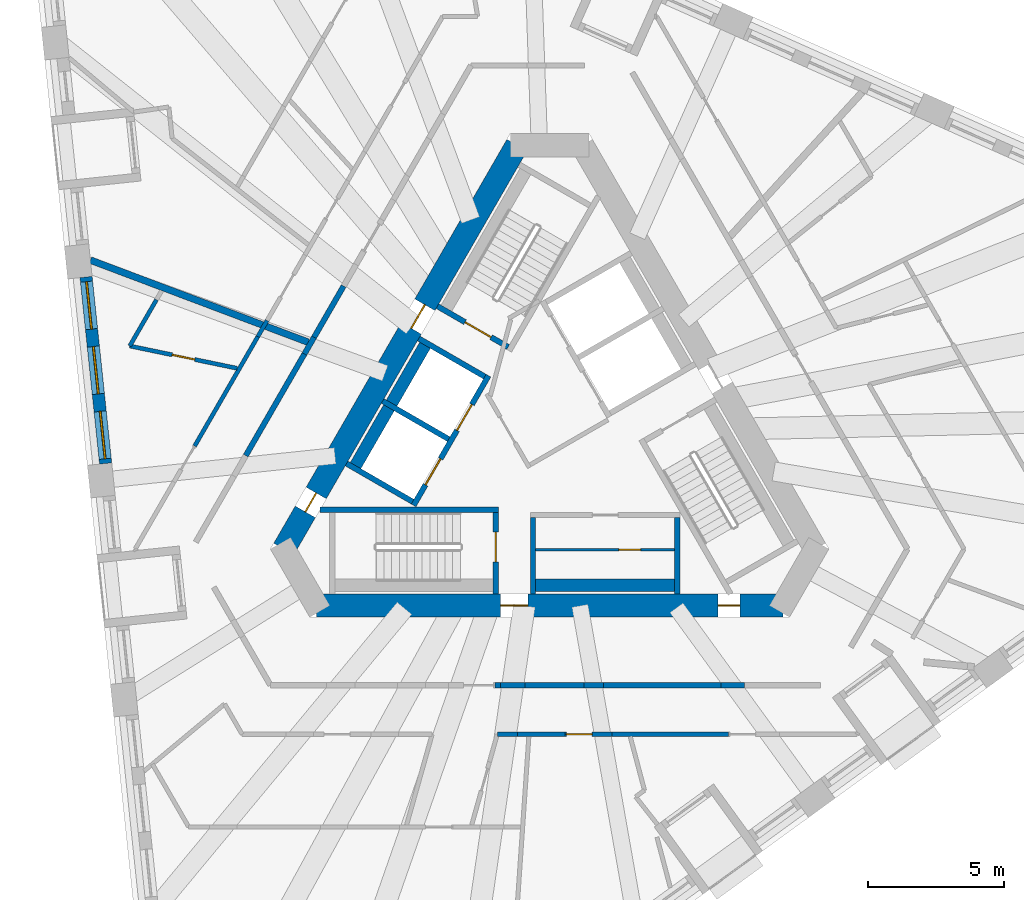
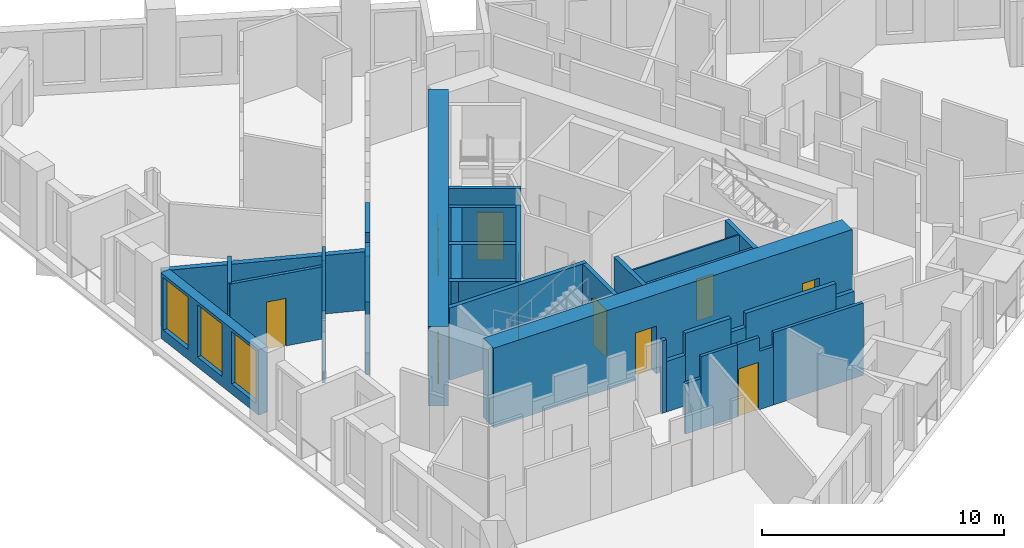
# One storey, part 4 of 14: 33 walls, 11 doors, 3 windows, 14 openings.
"""IFC4 building model written with IfcOpenShell, lengths in metres."""

from ifc_helpers import new_model, si_unit, direction, frame, frame_2d, origin, place, context, subcontext, project, spatial, polyline, rectangle, outline, extrude, material, layer, layer_set, type_object, element, fill, save


model = new_model("IFC4")

# Units and contexts
model_context = context("Model", 3, precision=1e-05, world=origin(), true_north=direction((0.0, 1.0)))
body_context = subcontext(model_context, "Body", "Model", "MODEL_VIEW")
ifc_project = project(units=[si_unit("LENGTHUNIT", "METRE"), si_unit("AREAUNIT", "SQUARE_METRE"), si_unit("VOLUMEUNIT", "CUBIC_METRE"), si_unit("PLANEANGLEUNIT", "RADIAN"), si_unit("MASSUNIT", "GRAM", prefix="KILO")], contexts=[model_context])

# Site, building, storey
site_placement = place(None, origin())
site = spatial("IfcSite", under=ifc_project, at=site_placement, CompositionType="ELEMENT")
building_placement = place(site_placement, origin())
building = spatial("IfcBuilding", under=site, at=building_placement, Name="Tramontana Tower", CompositionType="ELEMENT")
storey_placement = place(building_placement, frame((0.0, 0.0, 186.800048828125)))
storey = spatial("IfcBuildingStorey", under=building, at=storey_placement, Name="L43", CompositionType="ELEMENT", Elevation=186.800048828125)

# Wall, openings, doors
ifc_material_1 = material(Name="Concrete 70 MPa", Category="concrete")
ifc_layer_1 = layer(ifc_material_1, 0.85009765625)
ifc_layer_set_1 = layer_set([ifc_layer_1], Name="Core wall 850 70 MPa")
wall_type_1 = type_object("IfcWallType", Name="Core wall 850 70 MPa", PredefinedType="SHEAR", material=ifc_layer_set_1)
wall_1_placement = place(storey_placement, frame((-1.197998046875, 10.574951171875, 0.0), z_axis=(0.0, 0.0, 1.0), x_axis=(-0.499995289315, -0.866028123483, 0.0)))
wall_1 = element("IfcWall", 1, at=wall_1_placement, inside=storey, type_object=wall_type_1, Name="Core wall C1 L43", PredefinedType="SHEAR", context=body_context, shape_type="SweptSolid", body=[
    extrude(rectangle(XDim=17.118408203125, YDim=0.85009765625, at=frame_2d((8.55908203125, 0.0))), origin(), (0.0, 0.0, 1.0), 4.0),
])
opening_1_placement = place(wall_1_placement, frame((6.76416015625, 0.0, 0.0)))
opening_1 = element("IfcOpeningElement", 2, at=opening_1_placement, cuts=wall_1, Name="Opening RG1", PredefinedType="OPENING", context=body_context, shape_type="SweptSolid", body=[
    extrude(rectangle(XDim=1.0, YDim=2.39990234375, at=frame_2d((0.5, 1.199951171875))), frame((0.0, 0.43505859375, 0.0), z_axis=(0.0, -1.0, 0.0), x_axis=(1.0, 0.0, 0.0)), (0.0, 0.0, 1.0), 0.8701171875),
])
opening_2_placement = place(wall_1_placement, frame((14.7421875, 0.0, 0.0)))
opening_2 = element("IfcOpeningElement", 3, at=opening_2_placement, cuts=wall_1, Name="Opening PD1", PredefinedType="OPENING", context=body_context, shape_type="SweptSolid", body=[
    extrude(rectangle(XDim=0.800048828125, YDim=2.10009765625, at=frame_2d((0.39990234375, 1.050048828125))), frame((0.0, 0.43505859375, 0.0), z_axis=(0.0, -1.0, 0.0), x_axis=(1.0, 0.0, 0.0)), (0.0, 0.0, 1.0), 0.8701171875),
])
ifc_material_2 = material(Name="Painted steel", Category="steel")
door_type_1 = type_object("IfcDoorType", Name="CUPBOARD DOOR 800", OperationType="SINGLE_SWING_LEFT", PredefinedType="DOOR", material=ifc_material_2)
door_1_placement = place(opening_2_placement, origin())
door_1 = element("IfcDoor", 4, at=door_1_placement, inside=storey, type_object=door_type_1, Name="Door PD1", OperationType="SINGLE_SWING_LEFT", OverallHeight=2.10009765625, OverallWidth=0.800048828125, PredefinedType="DOOR", context=body_context, shape_type="SweptSolid", body=[
    extrude(rectangle(XDim=0.800048828125, YDim=2.10009765625, at=frame_2d((0.39990234375, 1.050048828125))), frame((0.0, 0.02490234375, 0.0), z_axis=(0.0, -1.0, 0.0), x_axis=(1.0, 0.0, 0.0)), (0.0, 0.0, 1.0), 0.050048828125),
])
fill(opening_2, door_1)
ifc_material_3 = material(Name="Painted steel", Category="steel")
door_type_2 = type_object("IfcDoorType", Name="RING DOOR 1000", OperationType="SINGLE_SWING_LEFT", PredefinedType="DOOR", material=ifc_material_3)
door_2_placement = place(opening_1_placement, origin())
door_2 = element("IfcDoor", 5, at=door_2_placement, inside=storey, type_object=door_type_2, Name="Door RG1", OperationType="SINGLE_SWING_RIGHT", OverallHeight=2.39990234375, OverallWidth=1.0, PredefinedType="DOOR", context=body_context, shape_type="SweptSolid", body=[
    extrude(rectangle(XDim=1.0, YDim=2.39990234375, at=frame_2d((0.5, 1.199951171875))), frame((0.0, 0.02490234375, 0.0), z_axis=(0.0, -1.0, 0.0), x_axis=(1.0, 0.0, 0.0)), (0.0, 0.0, 1.0), 0.050048828125),
])
fill(opening_1, door_2)

wall_2_placement = place(storey_placement, frame((-8.55908203125, -6.324951171875, 0.0), z_axis=(0.0, 0.0, 1.0), x_axis=(1.0, 0.0, 0.0)))
wall_2 = element("IfcWall", 6, at=wall_2_placement, inside=storey, type_object=wall_type_1, Name="Core wall C3 L43", PredefinedType="SHEAR", context=body_context, shape_type="SweptSolid", body=[
    extrude(rectangle(XDim=17.1181640625, YDim=0.85009765625, at=frame_2d((8.55908203125, 0.0))), origin(), (0.0, 0.0, 1.0), 4.0),
])
opening_3_placement = place(wall_2_placement, frame((6.76416015625, 0.0, 0.0)))
opening_3 = element("IfcOpeningElement", 7, at=opening_3_placement, cuts=wall_2, Name="Opening RG2", PredefinedType="OPENING", context=body_context, shape_type="SweptSolid", body=[
    extrude(rectangle(XDim=1.0, YDim=2.39990234375, at=frame_2d((0.5, 1.199951171875))), frame((0.0, 0.43505859375, 0.0), z_axis=(0.0, -1.0, 0.0), x_axis=(1.0, 0.0, 0.0)), (0.0, 0.0, 1.0), 0.8701171875),
])
opening_4_placement = place(wall_2_placement, frame((14.7421875, 0.0, 0.0)))
opening_4 = element("IfcOpeningElement", 8, at=opening_4_placement, cuts=wall_2, Name="Opening PD2", PredefinedType="OPENING", context=body_context, shape_type="SweptSolid", body=[
    extrude(rectangle(XDim=0.800048828125, YDim=2.10009765625, at=frame_2d((0.39990234375, 1.050048828125))), frame((0.0, 0.43505859375, 0.0), z_axis=(0.0, -1.0, 0.0), x_axis=(1.0, 0.0, 0.0)), (0.0, 0.0, 1.0), 0.8701171875),
])
door_3_placement = place(opening_4_placement, origin())
door_3 = element("IfcDoor", 9, at=door_3_placement, inside=storey, type_object=door_type_1, Name="Door PD2", OperationType="SINGLE_SWING_RIGHT", OverallHeight=2.10009765625, OverallWidth=0.800048828125, PredefinedType="DOOR", context=body_context, shape_type="SweptSolid", body=[
    extrude(rectangle(XDim=0.800048828125, YDim=2.10009765625, at=frame_2d((0.39990234375, 1.050048828125))), frame((0.0, 0.02490234375, 0.0), z_axis=(0.0, -1.0, 0.0), x_axis=(1.0, 0.0, 0.0)), (0.0, 0.0, 1.0), 0.050048828125),
])
fill(opening_4, door_3)
door_4_placement = place(opening_3_placement, origin())
door_4 = element("IfcDoor", 10, at=door_4_placement, inside=storey, type_object=door_type_2, Name="Door RG2", OperationType="SINGLE_SWING_LEFT", OverallHeight=2.39990234375, OverallWidth=1.0, PredefinedType="DOOR", context=body_context, shape_type="SweptSolid", body=[
    extrude(rectangle(XDim=1.0, YDim=2.39990234375, at=frame_2d((0.5, 1.199951171875))), frame((0.0, 0.02490234375, 0.0), z_axis=(0.0, -1.0, 0.0), x_axis=(1.0, 0.0, 0.0)), (0.0, 0.0, 1.0), 0.050048828125),
])
fill(opening_3, door_4)

# Walls
ifc_material_4 = material(Name="Blockwork", Category="masonry")
ifc_layer_2 = layer(ifc_material_4, 0.199951171875)
ifc_layer_set_2 = layer_set([ifc_layer_2], Name="ENTRY WALL 200")
wall_type_2 = type_object("IfcWallType", Name="ENTRY WALL 200", PredefinedType="SOLIDWALL", material=ifc_layer_set_2)
wall_3_placement = place(storey_placement, frame((7.153076171875, -9.25, 0.0), z_axis=(0.0, 0.0, 1.0), x_axis=(-1.0, 0.0, 0.0)))
element("IfcWall", 11, at=wall_3_placement, inside=storey, type_object=wall_type_2, Name="Wall v42-ew2-1", PredefinedType="SOLIDWALL", context=body_context, shape_type="SweptSolid", body=[
    extrude(rectangle(XDim=0.865234375, YDim=0.199951171875, at=frame_2d((0.4326171875, 0.0))), origin(), (0.0, 0.0, 1.0), 2.949951171875),
])
wall_4_placement = place(storey_placement, frame((6.287841796875, -9.25, 0.0), z_axis=(0.0, 0.0, 1.0), x_axis=(-1.0, 0.0, 0.0)))
element("IfcWall", 12, at=wall_4_placement, inside=storey, type_object=wall_type_2, Name="Wall v42-ew2-2", PredefinedType="SOLIDWALL", context=body_context, shape_type="SweptSolid", body=[
    extrude(rectangle(XDim=4.306640625, YDim=0.199951171875, at=frame_2d((2.1533203125, 0.0))), origin(), (0.0, 0.0, 1.0), 3.64990234375),
])
wall_5_placement = place(storey_placement, frame((1.981201171875, -9.25, 0.0), z_axis=(0.0, 0.0, 1.0), x_axis=(-1.0, 0.0, 0.0)))
element("IfcWall", 13, at=wall_5_placement, inside=storey, type_object=wall_type_2, Name="Wall v42-ew2-3", PredefinedType="SOLIDWALL", context=body_context, shape_type="SweptSolid", body=[
    extrude(rectangle(XDim=0.710693359375, YDim=0.199951171875, at=frame_2d((0.35546875, 0.0))), origin(), (0.0, 0.0, 1.0), 2.949951171875),
])
wall_6_placement = place(storey_placement, frame((1.2705078125, -9.25, 0.0), z_axis=(0.0, 0.0, 1.0), x_axis=(-1.0, 0.0, 0.0)))
element("IfcWall", 14, at=wall_6_placement, inside=storey, type_object=wall_type_2, Name="Wall v42-ew2-4", PredefinedType="SOLIDWALL", context=body_context, shape_type="SweptSolid", body=[
    extrude(rectangle(XDim=2.169677734375, YDim=0.199951171875, at=frame_2d((1.0849609375, 0.0))), origin(), (0.0, 0.0, 1.0), 3.64990234375),
])
wall_7_placement = place(storey_placement, frame((-0.899169921875, -9.25, 0.0), z_axis=(0.0, 0.0, 1.0), x_axis=(-1.0, 0.0, 0.0)))
element("IfcWall", 15, at=wall_7_placement, inside=storey, type_object=wall_type_2, Name="Wall v42-ew2-5", PredefinedType="SOLIDWALL", context=body_context, shape_type="SweptSolid", body=[
    extrude(rectangle(XDim=0.909423828125, YDim=0.199951171875, at=frame_2d((0.45458984375, 0.0))), origin(), (0.0, 0.0, 1.0), 2.550048828125),
])
wall_8_placement = place(storey_placement, frame((-1.80859375, -9.25, 0.0), z_axis=(0.0, 0.0, 1.0), x_axis=(-1.0, 0.0, 0.0)))
element("IfcWall", 16, at=wall_8_placement, inside=storey, type_object=wall_type_2, Name="Wall v42-ew2-6", PredefinedType="SOLIDWALL", context=body_context, shape_type="SweptSolid", body=[
    extrude(rectangle(XDim=0.200439453125, YDim=0.199951171875, at=frame_2d((0.10009765625, 0.0))), origin(), (0.0, 0.0, 1.0), 3.64990234375),
])
wall_9_placement = place(storey_placement, frame((-11.15478515625, -0.820556640625, 0.0), z_axis=(0.0, 0.0, 1.0), x_axis=(0.499992344383, 0.866029823712, 0.0)))
element("IfcWall", 17, at=wall_9_placement, inside=storey, type_object=wall_type_2, Name="Wall v42-ew4-2", PredefinedType="SOLIDWALL", context=body_context, shape_type="SweptSolid", body=[
    extrude(rectangle(XDim=4.306640625, YDim=0.199951171875, at=frame_2d((2.1533203125, 0.0))), origin(), (0.0, 0.0, 1.0), 3.64990234375),
])
wall_10_placement = place(storey_placement, frame((-9.00146484375, 2.9091796875, 0.0), z_axis=(0.0, 0.0, 1.0), x_axis=(0.50012879774, 0.865951029603, 0.0)))
element("IfcWall", 18, at=wall_10_placement, inside=storey, type_object=wall_type_2, Name="Wall v42-ew4-3", PredefinedType="SOLIDWALL", context=body_context, shape_type="SweptSolid", body=[
    extrude(rectangle(XDim=0.710693359375, YDim=0.199951171875, at=frame_2d((0.35546875, 0.0))), origin(), (0.0, 0.0, 1.0), 2.949951171875),
])
wall_11_placement = place(storey_placement, frame((-8.64599609375, 3.524658203125, 0.0), z_axis=(0.0, 0.0, 1.0), x_axis=(0.499975720793, 0.866039420937, 0.0)))
element("IfcWall", 19, at=wall_11_placement, inside=storey, type_object=wall_type_2, Name="Wall v42-ew4-4", PredefinedType="SOLIDWALL", context=body_context, shape_type="SweptSolid", body=[
    extrude(rectangle(XDim=2.16943359375, YDim=0.199951171875, at=frame_2d((1.084716796875, 0.0))), origin(), (0.0, 0.0, 1.0), 3.64990234375),
])

# Wall, openings, windows
ifc_material_5 = material(Name="Precast concrete 60 MPa", Category="concrete")
ifc_layer_3 = layer(ifc_material_5, 0.449951171875)
ifc_layer_set_3 = layer_set([ifc_layer_3], Name="Precast concrete 60 MPa, 450 mm")
wall_type_3 = type_object("IfcWallType", Name="EW1 Stone-faced precast wall 450", PredefinedType="SOLIDWALL", material=ifc_layer_set_3)
wall_12_placement = place(storey_placement, frame((-17.017822265625, 5.735595703125, 0.0), z_axis=(0.0, 0.0, 1.0), x_axis=(0.104531531326, -0.994521572898, 0.0)))
wall_12 = element("IfcWall", 20, at=wall_12_placement, inside=storey, type_object=wall_type_3, Name="External wall L43 face 0 bay 3", PredefinedType="SOLIDWALL", context=body_context, shape_type="SweptSolid", body=[
    extrude(rectangle(XDim=6.8828125, YDim=0.449951171875, at=frame_2d((3.44140625, 0.0))), origin(), (0.0, 0.0, 1.0), 3.300048828125),
])
opening_5_placement = place(wall_12_placement, frame((0.172119140625, 0.0, 0.5)))
opening_5 = element("IfcOpeningElement", 21, at=opening_5_placement, cuts=wall_12, Name="Opening M2", PredefinedType="OPENING", context=body_context, shape_type="SweptSolid", body=[
    extrude(rectangle(XDim=1.75, YDim=2.64990234375, at=frame_2d((0.875, 1.324951171875))), frame((0.0, 0.23486328125, 0.0), z_axis=(0.0, -1.0, 0.0), x_axis=(1.0, 0.0, 0.0)), (0.0, 0.0, 1.0), 0.469970703125),
])
opening_6_placement = place(wall_12_placement, frame((2.56640625, 0.0, 0.5)))
opening_6 = element("IfcOpeningElement", 22, at=opening_6_placement, cuts=wall_12, Name="Opening M2", PredefinedType="OPENING", context=body_context, shape_type="SweptSolid", body=[
    extrude(rectangle(XDim=1.75, YDim=2.64990234375, at=frame_2d((0.875, 1.324951171875))), frame((0.0, 0.23486328125, 0.0), z_axis=(0.0, -1.0, 0.0), x_axis=(1.0, 0.0, 0.0)), (0.0, 0.0, 1.0), 0.469970703125),
])
opening_7_placement = place(wall_12_placement, frame((4.960693359375, 0.0, 0.5)))
opening_7 = element("IfcOpeningElement", 23, at=opening_7_placement, cuts=wall_12, Name="Opening M2", PredefinedType="OPENING", context=body_context, shape_type="SweptSolid", body=[
    extrude(rectangle(XDim=1.75, YDim=2.64990234375, at=frame_2d((0.875, 1.324951171875))), frame((0.0, 0.23486328125, 0.0), z_axis=(0.0, -1.0, 0.0), x_axis=(1.0, 0.0, 0.0)), (0.0, 0.0, 1.0), 0.469970703125),
])
ifc_material_6 = material(Name="Aluminum frame, double glazing unit", Category="aluminium")
window_type = type_object("IfcWindowType", Name="M2 Window 1.75 x 2.65", PartitioningType="SINGLE_PANEL", PredefinedType="WINDOW", material=ifc_material_6)
window_1_placement = place(opening_5_placement, origin())
window_1 = element("IfcWindow", 24, at=window_1_placement, inside=storey, type_object=window_type, Name="Window M2 L43 face 0 module 7", OverallHeight=2.64990234375, OverallWidth=1.75, PartitioningType="SINGLE_PANEL", PredefinedType="WINDOW", context=body_context, shape_type="SweptSolid", body=[
    extrude(rectangle(XDim=1.75, YDim=2.64990234375, at=frame_2d((0.875, 1.324951171875))), frame((0.0, 0.030029296875, 0.0), z_axis=(0.0, -1.0, 0.0), x_axis=(1.0, 0.0, 0.0)), (0.0, 0.0, 1.0), 0.06005859375),
])
fill(opening_5, window_1)
window_2_placement = place(opening_6_placement, origin())
window_2 = element("IfcWindow", 25, at=window_2_placement, inside=storey, type_object=window_type, Name="Window M2 L43 face 0 module 8", OverallHeight=2.64990234375, OverallWidth=1.75, PartitioningType="SINGLE_PANEL", PredefinedType="WINDOW", context=body_context, shape_type="SweptSolid", body=[
    extrude(rectangle(XDim=1.75, YDim=2.64990234375, at=frame_2d((0.875, 1.324951171875))), frame((0.0, 0.030029296875, 0.0), z_axis=(0.0, -1.0, 0.0), x_axis=(1.0, 0.0, 0.0)), (0.0, 0.0, 1.0), 0.06005859375),
])
fill(opening_6, window_2)
window_3_placement = place(opening_7_placement, origin())
window_3 = element("IfcWindow", 26, at=window_3_placement, inside=storey, type_object=window_type, Name="Window M2 L43 face 0 module 9", OverallHeight=2.64990234375, OverallWidth=1.75, PartitioningType="SINGLE_PANEL", PredefinedType="WINDOW", context=body_context, shape_type="SweptSolid", body=[
    extrude(rectangle(XDim=1.75, YDim=2.64990234375, at=frame_2d((0.875, 1.324951171875))), frame((0.0, 0.030029296875, 0.0), z_axis=(0.0, -1.0, 0.0), x_axis=(1.0, 0.0, 0.0)), (0.0, 0.0, 1.0), 0.06005859375),
])
fill(opening_7, window_3)

# Walls
ifc_material_7 = material(Name="Gypsum board partition")
ifc_layer_4 = layer(ifc_material_7, 0.14990234375)
ifc_layer_set_4 = layer_set([ifc_layer_4], Name="PARTITION 150")
wall_type_4 = type_object("IfcWallType", Name="PARTITION 150", PredefinedType="PARTITIONING", material=ifc_layer_set_4)
wall_13_placement = place(storey_placement, frame((-15.413330078125, 3.203369140625, 0.0), z_axis=(0.0, 0.0, 1.0), x_axis=(0.500020484464, 0.866013576751, 0.0)))
element("IfcWall", 27, at=wall_13_placement, inside=storey, type_object=wall_type_4, Name="Wall v42-pw00-0", PredefinedType="PARTITIONING", context=body_context, shape_type="SweptSolid", body=[
    extrude(rectangle(XDim=1.9619140625, YDim=0.14990234375, at=frame_2d((0.98095703125, 0.0))), origin(), (0.0, 0.0, 1.0), 3.64990234375),
])
wall_14_placement = place(storey_placement, frame((-13.029541015625, -0.4677734375, 0.0), z_axis=(0.0, 0.0, 1.0), x_axis=(0.499991475479, 0.866030325363, 0.0)))
element("IfcWall", 28, at=wall_14_placement, inside=storey, type_object=wall_type_4, Name="Wall v42-pw02-2", PredefinedType="PARTITIONING", context=body_context, shape_type="SweptSolid", body=[
    extrude(rectangle(XDim=4.634765625, YDim=0.14990234375, at=frame_2d((2.3173828125, 0.0))), origin(), (0.0, 0.0, 1.0), 3.64990234375),
])
wall_15_placement = place(storey_placement, frame((-10.712158203125, 3.546142578125, 0.0), z_axis=(0.0, 0.0, 1.0), x_axis=(0.50012328804, 0.865954211699, 0.0)))
element("IfcWall", 29, at=wall_15_placement, inside=storey, type_object=wall_type_4, Name="Wall v42-pw02-3", PredefinedType="PARTITIONING", context=body_context, shape_type="SweptSolid", body=[
    extrude(rectangle(XDim=0.685302734375, YDim=0.14990234375, at=frame_2d((0.3427734375, 0.0))), origin(), (0.0, 0.0, 1.0), 2.949951171875),
])

# Wall, opening, door
wall_16_placement = place(storey_placement, frame((-15.413330078125, 3.203369140625, 0.0), z_axis=(0.0, 0.0, 1.0), x_axis=(0.979079644167, -0.20347739525, 0.0)))
wall_16 = element("IfcWall", 30, at=wall_16_placement, inside=storey, type_object=wall_type_4, Name="Wall v42-pw09", PredefinedType="PARTITIONING", context=body_context, shape_type="SweptSolid", body=[
    extrude(rectangle(XDim=4.02783203125, YDim=0.14990234375, at=frame_2d((2.013916015625, 0.0))), origin(), (0.0, 0.0, 1.0), 3.64990234375),
])
opening_8_placement = place(wall_16_placement, frame((1.5888671875, 0.0, 0.0)))
opening_8 = element("IfcOpeningElement", 31, at=opening_8_placement, cuts=wall_16, Name="Opening B4C-11", PredefinedType="OPENING", context=body_context, shape_type="SweptSolid", body=[
    extrude(rectangle(XDim=0.85009765625, YDim=2.39990234375, at=frame_2d((0.425048828125, 1.199951171875))), frame((0.0, 0.0849609375, 0.0), z_axis=(0.0, -1.0, 0.0), x_axis=(1.0, 0.0, 0.0)), (0.0, 0.0, 1.0), 0.169921875),
])
ifc_material_8 = material(Name="Painted timber", Category="wood")
door_type_3 = type_object("IfcDoorType", Name="DOOR BATH 850", OperationType="SINGLE_SWING_LEFT", PredefinedType="DOOR", material=ifc_material_8)
door_5_placement = place(opening_8_placement, origin())
door_5 = element("IfcDoor", 32, at=door_5_placement, inside=storey, type_object=door_type_3, Name="Door B4C-11", OperationType="SINGLE_SWING_LEFT", OverallHeight=2.39990234375, OverallWidth=0.85009765625, PredefinedType="DOOR", context=body_context, shape_type="SweptSolid", body=[
    extrude(rectangle(XDim=0.85009765625, YDim=2.39990234375, at=frame_2d((0.425048828125, 1.199951171875))), frame((0.0, 0.02490234375, 0.0), z_axis=(0.0, -1.0, 0.0), x_axis=(1.0, 0.0, 0.0)), (0.0, 0.0, 1.0), 0.050048828125),
])
fill(opening_8, door_5)

# Wall
wall_17_placement = place(storey_placement, frame((6.56494140625, -11.050048828125, 0.0), z_axis=(0.0, 0.0, 1.0), x_axis=(-1.0, 0.0, 0.0)))
element("IfcWall", 33, at=wall_17_placement, inside=storey, type_object=wall_type_4, Name="Wall v42-pw31-2", PredefinedType="PARTITIONING", context=body_context, shape_type="SweptSolid", body=[
    extrude(rectangle(XDim=4.280029296875, YDim=0.14990234375, at=frame_2d((2.14013671875, 0.0))), origin(), (0.0, 0.0, 1.0), 3.64990234375),
])

# Wall, opening, door
wall_18_placement = place(storey_placement, frame((2.284912109375, -11.050048828125, 0.0), z_axis=(0.0, 0.0, 1.0), x_axis=(-1.0, 0.0, 0.0)))
wall_18 = element("IfcWall", 34, at=wall_18_placement, inside=storey, type_object=wall_type_4, Name="Wall v42-pw31-3", PredefinedType="PARTITIONING", context=body_context, shape_type="SweptSolid", body=[
    extrude(outline(polyline([(0.0, 0.0), (1.720458984375, 0.0), (1.720703125, 3.64990234375), (0.685302734375, 3.64990234375), (0.685302734375, 2.949951171875), (0.0, 2.949951171875), (0.0, 0.0)])), frame((0.0, 0.074951171875, 0.0), z_axis=(0.0, -1.0, 0.0), x_axis=(1.0, 0.0, 0.0)), (0.0, 0.0, 1.0), 0.14990234375),
])
opening_9_placement = place(wall_18_placement, frame((0.720703125, 0.0, 0.0)))
opening_9 = element("IfcOpeningElement", 35, at=opening_9_placement, cuts=wall_18, Name="Opening B4C-09", PredefinedType="OPENING", context=body_context, shape_type="SweptSolid", body=[
    extrude(rectangle(XDim=0.949951171875, YDim=2.39990234375, at=frame_2d((0.47509765625, 1.199951171875))), frame((0.0, 0.0849609375, 0.0), z_axis=(0.0, -1.0, 0.0), x_axis=(1.0, 0.0, 0.0)), (0.0, 0.0, 1.0), 0.169921875),
])
ifc_material_9 = material(Name="Painted timber", Category="wood")
door_type_4 = type_object("IfcDoorType", Name="DOOR ROOM 950", OperationType="SINGLE_SWING_LEFT", PredefinedType="DOOR", material=ifc_material_9)
door_6_placement = place(opening_9_placement, origin())
door_6 = element("IfcDoor", 36, at=door_6_placement, inside=storey, type_object=door_type_4, Name="Door B4C-09", OperationType="SINGLE_SWING_LEFT", OverallHeight=2.39990234375, OverallWidth=0.949951171875, PredefinedType="DOOR", context=body_context, shape_type="SweptSolid", body=[
    extrude(rectangle(XDim=0.949951171875, YDim=2.39990234375, at=frame_2d((0.47509765625, 1.199951171875))), frame((0.0, 0.02490234375, 0.0), z_axis=(0.0, -1.0, 0.0), x_axis=(1.0, 0.0, 0.0)), (0.0, 0.0, 1.0), 0.050048828125),
])
fill(opening_9, door_6)

# Walls
wall_19_placement = place(storey_placement, frame((0.564453125, -11.050048828125, 0.0), z_axis=(0.0, 0.0, 1.0), x_axis=(-1.0, 0.0, 0.0)))
element("IfcWall", 37, at=wall_19_placement, inside=storey, type_object=wall_type_4, Name="Wall v42-pw31-4", PredefinedType="PARTITIONING", context=body_context, shape_type="SweptSolid", body=[
    extrude(rectangle(XDim=1.73974609375, YDim=0.14990234375, at=frame_2d((0.869873046875, 0.0))), origin(), (0.0, 0.0, 1.0), 3.64990234375),
])
wall_20_placement = place(storey_placement, frame((-1.17529296875, -11.050048828125, 0.0), z_axis=(0.0, 0.0, 1.0), x_axis=(-1.0, 0.0, 0.0)))
element("IfcWall", 38, at=wall_20_placement, inside=storey, type_object=wall_type_4, Name="Wall v42-pw31-5", PredefinedType="PARTITIONING", context=body_context, shape_type="SweptSolid", body=[
    extrude(rectangle(XDim=0.744384765625, YDim=0.14990234375, at=frame_2d((0.3720703125, 0.0))), origin(), (0.0, 0.0, 1.0), 2.550048828125),
])

# Wall, opening, door
ifc_material_10 = material(Name="Gypsum board partition")
ifc_layer_5 = layer(ifc_material_10, 0.080078125)
ifc_layer_set_5 = layer_set([ifc_layer_5], Name="PARTITION 80")
wall_type_5 = type_object("IfcWallType", Name="PARTITION 80", PredefinedType="PARTITIONING", material=ifc_layer_set_5)
wall_21_placement = place(storey_placement, frame((4.590087890625, -4.27490234375, 0.0), z_axis=(0.0, 0.0, 1.0), x_axis=(-1.0, 0.0, 0.0)))
wall_21 = element("IfcWall", 39, at=wall_21_placement, inside=storey, type_object=wall_type_5, Name="Wall row1-split", PredefinedType="PARTITIONING", context=body_context, shape_type="SweptSolid", body=[
    extrude(rectangle(XDim=5.10009765625, YDim=0.080078125, at=frame_2d((2.550048828125, 0.0))), origin(), (0.0, 0.0, 1.0), 3.64990234375),
])
opening_10_placement = place(wall_21_placement, frame((1.25, 0.0, 0.0)))
opening_10 = element("IfcOpeningElement", 40, at=opening_10_placement, cuts=wall_21, Name="Opening RD-1B", PredefinedType="OPENING", context=body_context, shape_type="SweptSolid", body=[
    extrude(rectangle(XDim=0.800048828125, YDim=2.10009765625, at=frame_2d((0.39990234375, 1.050048828125))), frame((0.0, 0.050048828125, 0.0), z_axis=(0.0, -1.0, 0.0), x_axis=(1.0, 0.0, 0.0)), (0.0, 0.0, 1.0), 0.10009765625),
])
door_7_placement = place(opening_10_placement, origin())
door_7 = element("IfcDoor", 41, at=door_7_placement, inside=storey, type_object=door_type_1, Name="Door RD-1B", OperationType="SINGLE_SWING_RIGHT", OverallHeight=2.10009765625, OverallWidth=0.800048828125, PredefinedType="DOOR", context=body_context, shape_type="SweptSolid", body=[
    extrude(rectangle(XDim=0.800048828125, YDim=2.10009765625, at=frame_2d((0.39990234375, 1.050048828125))), frame((0.0, 0.02490234375, 0.0), z_axis=(0.0, -1.0, 0.0), x_axis=(1.0, 0.0, 0.0)), (0.0, 0.0, 1.0), 0.050048828125),
])
fill(opening_10, door_7)

# Walls
ifc_material_11 = material(Name="Blockwork", Category="masonry")
ifc_layer_6 = layer(ifc_material_11, 0.25)
ifc_layer_set_6 = layer_set([ifc_layer_6], Name="PARTY WALL 250")
wall_type_6 = type_object("IfcWallType", Name="PARTY WALL 250", PredefinedType="SOLIDWALL", material=ifc_layer_set_6)
wall_22_placement = place(storey_placement, frame((-8.866455078125, 3.343017578125, 0.0), z_axis=(0.0, 0.0, 1.0), x_axis=(-0.935697905285, 0.352802253459, 0.0)))
element("IfcWall", 42, at=wall_22_placement, inside=storey, type_object=wall_type_6, Name="Wall v42-pw11-0", PredefinedType="SOLIDWALL", context=body_context, shape_type="SweptSolid", body=[
    extrude(rectangle(XDim=8.539306640625, YDim=0.25, at=frame_2d((4.26953125, 0.0))), origin(), (0.0, 0.0, 1.0), 2.949951171875),
])
ifc_material_12 = material(Name="Concrete 70 MPa", Category="concrete")
ifc_layer_7 = layer(ifc_material_12, 0.449951171875)
ifc_layer_set_7 = layer_set([ifc_layer_7], Name="Concrete 70 MPa, 450 mm")
wall_type_7 = type_object("IfcWallType", Name="RC SHAFT BACK WALL 450", PredefinedType="SOLIDWALL", material=ifc_layer_set_7)
for number, where, z_axis, x_axis, name in (
    (43, (-4.47314453125, 3.40234375, 0.0), (0.0, 0.0, 1.0), (-0.499996545922, -0.866027397988, 0.0), "Wall row0-back"),
    (44, (-0.7099609375, -5.574951171875, 0.0), (0.0, 0.0, 1.0), (1.0, 0.0, 0.0), "Wall row1-back"),
):
    element("IfcWall", number, at=place(storey_placement, frame(where, z_axis=z_axis, x_axis=x_axis)), inside=storey, type_object=wall_type_7, Name=name, PredefinedType="SOLIDWALL", context=body_context, shape_type="SweptSolid", body=[
        extrude(rectangle(XDim=5.5, YDim=0.449951171875, at=frame_2d((2.75, 0.0))), origin(), (0.0, 0.0, 1.0), 3.64990234375),
    ])

# Wall, opening, door
ifc_material_13 = material(Name="Concrete 70 MPa", Category="concrete")
ifc_layer_8 = layer(ifc_material_13, 0.199951171875)
ifc_layer_set_8 = layer_set([ifc_layer_8], Name="Concrete 70 MPa, 200 mm")
wall_type_8 = type_object("IfcWallType", Name="RC STAIR AND SHAFT WALL 200", PredefinedType="SOLIDWALL", material=ifc_layer_set_8)
wall_23_placement = place(storey_placement, frame((-1.521484375, 3.164794921875, 0.0), z_axis=(0.0, 0.0, 1.0), x_axis=(-0.866031096941, 0.499990139034, 0.0)))
wall_23 = element("IfcWall", 45, at=wall_23_placement, inside=storey, type_object=wall_type_8, Name="Wall st1-near", PredefinedType="SOLIDWALL", context=body_context, shape_type="SweptSolid", body=[
    extrude(rectangle(XDim=3.0, YDim=0.199951171875, at=frame_2d((1.5, 0.0))), origin(), (0.0, 0.0, 1.0), 3.64990234375),
])
opening_11_placement = place(wall_23_placement, frame((0.72509765625, 0.0, 0.0)))
opening_11 = element("IfcOpeningElement", 46, at=opening_11_placement, cuts=wall_23, Name="Opening SD1", PredefinedType="OPENING", context=body_context, shape_type="SweptSolid", body=[
    extrude(rectangle(XDim=1.10009765625, YDim=2.39990234375, at=frame_2d((0.550048828125, 1.199951171875))), frame((0.0, 0.10986328125, 0.0), z_axis=(0.0, -1.0, 0.0), x_axis=(1.0, 0.0, 0.0)), (0.0, 0.0, 1.0), 0.219970703125),
])
ifc_material_14 = material(Name="Painted steel", Category="steel")
door_type_5 = type_object("IfcDoorType", Name="STAIR DOOR 1100", OperationType="SINGLE_SWING_LEFT", PredefinedType="DOOR", material=ifc_material_14)
door_8_placement = place(opening_11_placement, origin())
door_8 = element("IfcDoor", 47, at=door_8_placement, inside=storey, type_object=door_type_5, Name="Door SD1", OperationType="SINGLE_SWING_RIGHT", OverallHeight=2.39990234375, OverallWidth=1.10009765625, PredefinedType="DOOR", context=body_context, shape_type="SweptSolid", body=[
    extrude(rectangle(XDim=1.10009765625, YDim=2.39990234375, at=frame_2d((0.550048828125, 1.199951171875))), frame((0.0, 0.02490234375, 0.0), z_axis=(0.0, -1.0, 0.0), x_axis=(1.0, 0.0, 0.0)), (0.0, 0.0, 1.0), 0.050048828125),
])
fill(opening_11, door_8)

# Wall
wall_24_placement = place(storey_placement, frame((-8.42919921875, -2.800048828125, 0.0), z_axis=(0.0, 0.0, 1.0), x_axis=(1.0, 0.0, 0.0)))
element("IfcWall", 48, at=wall_24_placement, inside=storey, type_object=wall_type_8, Name="Wall st2-front", PredefinedType="SOLIDWALL", context=body_context, shape_type="SweptSolid", body=[
    extrude(rectangle(XDim=6.54931640625, YDim=0.199951171875, at=frame_2d((3.274658203125, 0.0))), origin(), (0.0, 0.0, 1.0), 3.64990234375),
])

# Wall, opening, door
wall_25_placement = place(storey_placement, frame((-1.97998046875, -2.89990234375, 0.0), z_axis=(0.0, 0.0, 1.0), x_axis=(0.0, -1.0, 0.0)))
wall_25 = element("IfcWall", 49, at=wall_25_placement, inside=storey, type_object=wall_type_8, Name="Wall st2-near", PredefinedType="SOLIDWALL", context=body_context, shape_type="SweptSolid", body=[
    extrude(rectangle(XDim=3.0, YDim=0.199951171875, at=frame_2d((1.5, 0.0))), origin(), (0.0, 0.0, 1.0), 3.64990234375),
])
opening_12_placement = place(wall_25_placement, frame((0.72509765625, 0.0, 0.0)))
opening_12 = element("IfcOpeningElement", 50, at=opening_12_placement, cuts=wall_25, Name="Opening SD2", PredefinedType="OPENING", context=body_context, shape_type="SweptSolid", body=[
    extrude(rectangle(XDim=1.10009765625, YDim=2.39990234375, at=frame_2d((0.550048828125, 1.199951171875))), frame((0.0, 0.10986328125, 0.0), z_axis=(0.0, -1.0, 0.0), x_axis=(1.0, 0.0, 0.0)), (0.0, 0.0, 1.0), 0.219970703125),
])
door_9_placement = place(opening_12_placement, origin())
door_9 = element("IfcDoor", 51, at=door_9_placement, inside=storey, type_object=door_type_5, Name="Door SD2", OperationType="SINGLE_SWING_LEFT", OverallHeight=2.39990234375, OverallWidth=1.10009765625, PredefinedType="DOOR", context=body_context, shape_type="SweptSolid", body=[
    extrude(rectangle(XDim=1.10009765625, YDim=2.39990234375, at=frame_2d((0.550048828125, 1.199951171875))), frame((0.0, 0.02490234375, 0.0), z_axis=(0.0, -1.0, 0.0), x_axis=(1.0, 0.0, 0.0)), (0.0, 0.0, 1.0), 0.050048828125),
])
fill(opening_12, door_9)

# Wall, openings, doors
wall_26_placement = place(storey_placement, frame((-2.2431640625, 2.114990234375, 0.0), z_axis=(0.0, 0.0, 1.0), x_axis=(-0.499996545922, -0.866027397988, 0.0)))
wall_26 = element("IfcWall", 52, at=wall_26_placement, inside=storey, type_object=wall_type_8, Name="Wall row0-front", PredefinedType="SOLIDWALL", context=body_context, shape_type="SweptSolid", body=[
    extrude(rectangle(XDim=5.5, YDim=0.199951171875, at=frame_2d((2.75, 0.0))), origin(), (0.0, 0.0, 1.0), 3.64990234375),
])
opening_13_placement = place(wall_26_placement, frame((1.219970703125, 0.0, 0.0)))
opening_13 = element("IfcOpeningElement", 53, at=opening_13_placement, cuts=wall_26, Name="Opening LD-P1", PredefinedType="OPENING", context=body_context, shape_type="SweptSolid", body=[
    extrude(rectangle(XDim=1.10009765625, YDim=2.10009765625, at=frame_2d((0.550048828125, 1.050048828125))), frame((0.0, 0.10986328125, 0.0), z_axis=(0.0, -1.0, 0.0), x_axis=(1.0, 0.0, 0.0)), (0.0, 0.0, 1.0), 0.219970703125),
])
opening_14_placement = place(wall_26_placement, frame((3.52490234375, 0.0, 0.0)))
opening_14 = element("IfcOpeningElement", 54, at=opening_14_placement, cuts=wall_26, Name="Opening LD-P2", PredefinedType="OPENING", context=body_context, shape_type="SweptSolid", body=[
    extrude(rectangle(XDim=1.10009765625, YDim=2.10009765625, at=frame_2d((0.550048828125, 1.050048828125))), frame((0.0, 0.10986328125, 0.0), z_axis=(0.0, -1.0, 0.0), x_axis=(1.0, 0.0, 0.0)), (0.0, 0.0, 1.0), 0.219970703125),
])
ifc_material_15 = material(Name="Brushed steel", Category="steel")
door_type_6 = type_object("IfcDoorType", Name="LANDING DOOR 1100", OperationType="SINGLE_SWING_LEFT", PredefinedType="DOOR", material=ifc_material_15)
door_10_placement = place(opening_13_placement, origin())
door_10 = element("IfcDoor", 55, at=door_10_placement, inside=storey, type_object=door_type_6, Name="Door LD-P1", OperationType="SLIDING_TO_LEFT", OverallHeight=2.10009765625, OverallWidth=1.10009765625, PredefinedType="DOOR", context=body_context, shape_type="SweptSolid", body=[
    extrude(rectangle(XDim=1.10009765625, YDim=2.10009765625, at=frame_2d((0.550048828125, 1.050048828125))), frame((0.0, 0.02490234375, 0.0), z_axis=(0.0, -1.0, 0.0), x_axis=(1.0, 0.0, 0.0)), (0.0, 0.0, 1.0), 0.050048828125),
])
fill(opening_13, door_10)
door_11_placement = place(opening_14_placement, origin())
door_11 = element("IfcDoor", 56, at=door_11_placement, inside=storey, type_object=door_type_6, Name="Door LD-P2", OperationType="SLIDING_TO_RIGHT", OverallHeight=2.10009765625, OverallWidth=1.10009765625, PredefinedType="DOOR", context=body_context, shape_type="SweptSolid", body=[
    extrude(rectangle(XDim=1.10009765625, YDim=2.10009765625, at=frame_2d((0.550048828125, 1.050048828125))), frame((0.0, 0.02490234375, 0.0), z_axis=(0.0, -1.0, 0.0), x_axis=(1.0, 0.0, 0.0)), (0.0, 0.0, 1.0), 0.050048828125),
])
fill(opening_14, door_11)

# Walls
wall_27_placement = place(storey_placement, frame((-2.379638671875, 2.078369140625, 0.0), z_axis=(0.0, 0.0, 1.0), x_axis=(-0.866034573852, 0.49998411664, 0.0)))
element("IfcWall", 57, at=wall_27_placement, inside=storey, type_object=wall_type_8, Name="Wall row0-side0", PredefinedType="SOLIDWALL", context=body_context, shape_type="SweptSolid", body=[
    extrude(rectangle(XDim=2.7998046875, YDim=0.199951171875, at=frame_2d((1.39990234375, 0.0))), origin(), (0.0, 0.0, 1.0), 3.64990234375),
])
wall_28_placement = place(storey_placement, frame((-3.70458984375, -0.216796875, 0.0), z_axis=(0.0, 0.0, 1.0), x_axis=(-0.866018616679, 0.500011755427, 0.0)))
element("IfcWall", 58, at=wall_28_placement, inside=storey, type_object=wall_type_8, Name="Wall row0-side1", PredefinedType="SOLIDWALL", context=body_context, shape_type="SweptSolid", body=[
    extrude(rectangle(XDim=2.80029296875, YDim=0.199951171875, at=frame_2d((1.400146484375, 0.0))), origin(), (0.0, 0.0, 1.0), 3.64990234375),
])
wall_29_placement = place(storey_placement, frame((-5.02978515625, -2.51171875, 0.0), z_axis=(0.0, 0.0, 1.0), x_axis=(-0.865996816683, 0.500049511043, 0.0)))
element("IfcWall", 59, at=wall_29_placement, inside=storey, type_object=wall_type_8, Name="Wall row0-side2", PredefinedType="SOLIDWALL", context=body_context, shape_type="SweptSolid", body=[
    extrude(rectangle(XDim=2.800048828125, YDim=0.199951171875, at=frame_2d((1.39990234375, 0.0))), origin(), (0.0, 0.0, 1.0), 3.64990234375),
])
for number, where, z_axis, x_axis, name in (
    (60, (-0.610107421875, -3.10009765625, 0.0), (0.0, 0.0, 1.0), (0.0, -1.0, 0.0), "Wall row1-side0"),
    (61, (4.68994140625, -3.10009765625, 0.0), (0.0, 0.0, 1.0), (0.0, -1.0, 0.0), "Wall row1-side2"),
):
    element("IfcWall", number, at=place(storey_placement, frame(where, z_axis=z_axis, x_axis=x_axis)), inside=storey, type_object=wall_type_8, Name=name, PredefinedType="SOLIDWALL", context=body_context, shape_type="SweptSolid", body=[
        extrude(rectangle(XDim=2.7998046875, YDim=0.199951171875, at=frame_2d((1.39990234375, 0.0))), origin(), (0.0, 0.0, 1.0), 3.64990234375),
    ])

save(model, "model.ifc")
